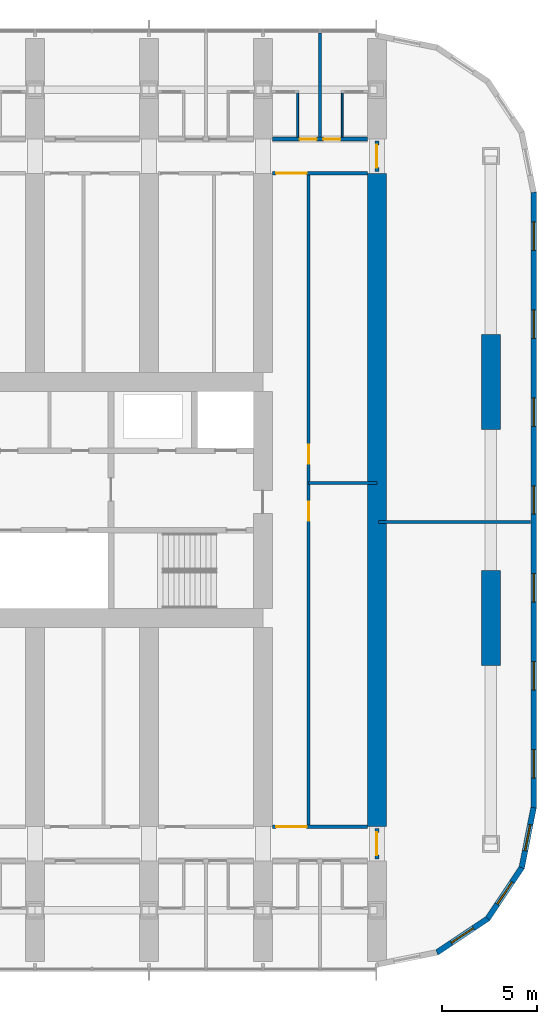
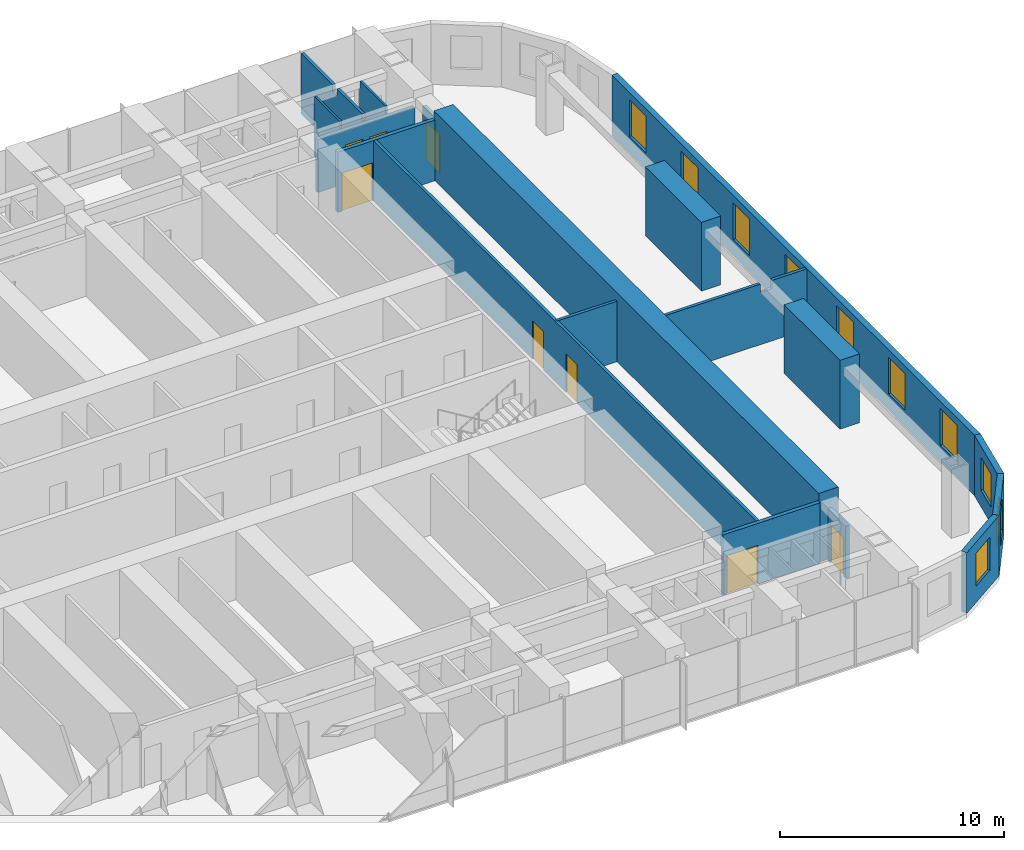
# One storey, part 18 of 24: 18 walls, 10 windows, 8 doors, 18 openings.
"""IFC4 building model written with IfcOpenShell, lengths in metres."""

from ifc_helpers import new_model, si_unit, direction, frame, frame_2d, origin, place, context, subcontext, project, spatial, polyline, rectangle, outline, extrude, material, layer, layer_set, type_object, element, fill, save


model = new_model("IFC4")

# Units and contexts
model_context = context("Model", 3, precision=1e-05, world=origin(), true_north=direction((0.0, 1.0)))
body_context = subcontext(model_context, "Body", "Model", "MODEL_VIEW")
ifc_project = project(units=[si_unit("LENGTHUNIT", "METRE"), si_unit("AREAUNIT", "SQUARE_METRE"), si_unit("VOLUMEUNIT", "CUBIC_METRE"), si_unit("PLANEANGLEUNIT", "RADIAN"), si_unit("MASSUNIT", "GRAM", prefix="KILO")], contexts=[model_context])

# Site, building, storey
site_placement = place(None, origin())
site = spatial("IfcSite", under=ifc_project, at=site_placement, CompositionType="ELEMENT")
building_placement = place(site_placement, origin())
building = spatial("IfcBuilding", under=site, at=building_placement, Name="Orbita Commons", CompositionType="ELEMENT")
storey_placement = place(building_placement, frame((0.0, 0.0, 20.199951171875)))
storey = spatial("IfcBuildingStorey", under=building, at=storey_placement, Name="L04", CompositionType="ELEMENT", Elevation=20.199951171875)

# Wall, openings, doors
ifc_material_1 = material(Name="Concrete blockwork", Category="masonry")
ifc_layer_1 = layer(ifc_material_1, 0.199951171875)
ifc_layer_set_1 = layer_set([ifc_layer_1], Name="Concrete blockwork")
wall_type_1 = type_object("IfcWallType", Name="Corridor wall 200 blockwork", PredefinedType="SOLIDWALL", material=ifc_layer_set_1)
wall_1_placement = place(storey_placement, frame((66.5, 51.0, 0.0), z_axis=(0.0, 0.0, 1.0), x_axis=(1.0, 0.0, 0.0)))
wall_1 = element("IfcWall", 1, at=wall_1_placement, inside=storey, type_object=wall_type_1, Name="Corridor wall 200 blockwork L04", PredefinedType="SOLIDWALL", context=body_context, shape_type="SweptSolid", body=[
    extrude(outline(polyline([(0.0, 0.0), (5.0, 0.0), (5.0, 2.900146484375), (0.0, 2.900146484375), (0.0, 0.0)])), frame((0.0, 0.10009765625, 0.0), z_axis=(0.0, -1.0, 0.0), x_axis=(1.0, 0.0, 0.0)), (0.0, 0.0, 1.0), 0.199951171875),
])
opening_1_placement = place(wall_1_placement, frame((1.425048828125, 0.0, 0.0)))
opening_1 = element("IfcOpeningElement", 2, at=opening_1_placement, cuts=wall_1, Name="Opening D11", PredefinedType="OPENING", context=body_context, shape_type="SweptSolid", body=[
    extrude(rectangle(XDim=0.89990234375, YDim=2.10009765625, at=frame_2d((0.449951171875, 1.050048828125))), frame((0.0, 0.10986328125, 0.0), z_axis=(0.0, -1.0, 0.0), x_axis=(1.0, 0.0, 0.0)), (0.0, 0.0, 1.0), 0.219970703125),
])
opening_2_placement = place(wall_1_placement, frame((2.675048828125, 0.0, 0.0)))
opening_2 = element("IfcOpeningElement", 3, at=opening_2_placement, cuts=wall_1, Name="Opening D11", PredefinedType="OPENING", context=body_context, shape_type="SweptSolid", body=[
    extrude(rectangle(XDim=0.89990234375, YDim=2.10009765625, at=frame_2d((0.449951171875, 1.050048828125))), frame((0.0, 0.10986328125, 0.0), z_axis=(0.0, -1.0, 0.0), x_axis=(1.0, 0.0, 0.0)), (0.0, 0.0, 1.0), 0.219970703125),
])
ifc_material_2 = material(Name="Steel-faced fire door leaf", Category="steel")
door_type_1 = type_object("IfcDoorType", Name="Corridor door 20 min 900x2100", OperationType="SINGLE_SWING_LEFT", PredefinedType="DOOR", material=ifc_material_2)
door_1_placement = place(opening_1_placement, origin())
door_1 = element("IfcDoor", 4, at=door_1_placement, inside=storey, type_object=door_type_1, Name="House bedroom L04-N18 door", OperationType="SINGLE_SWING_LEFT", OverallHeight=2.10009765625, OverallWidth=0.89990234375, PredefinedType="DOOR", context=body_context, shape_type="SweptSolid", body=[
    extrude(rectangle(XDim=0.89990234375, YDim=2.10009765625, at=frame_2d((0.449951171875, 1.050048828125))), frame((0.0, 0.02490234375, 0.0), z_axis=(0.0, -1.0, 0.0), x_axis=(1.0, 0.0, 0.0)), (0.0, 0.0, 1.0), 0.050048828125),
])
fill(opening_1, door_1)
door_2_placement = place(opening_2_placement, origin())
door_2 = element("IfcDoor", 5, at=door_2_placement, inside=storey, type_object=door_type_1, Name="House bedroom L04-N19 door", OperationType="SINGLE_SWING_LEFT", OverallHeight=2.10009765625, OverallWidth=0.89990234375, PredefinedType="DOOR", context=body_context, shape_type="SweptSolid", body=[
    extrude(rectangle(XDim=0.89990234375, YDim=2.10009765625, at=frame_2d((0.449951171875, 1.050048828125))), frame((0.0, 0.02490234375, 0.0), z_axis=(0.0, -1.0, 0.0), x_axis=(1.0, 0.0, 0.0)), (0.0, 0.0, 1.0), 0.050048828125),
])
fill(opening_2, door_2)

# Wall, opening, door
wall_2_placement = place(storey_placement, frame((72.0, 13.10009765625, 0.0), z_axis=(0.0, 0.0, 1.0), x_axis=(0.0, 1.0, 0.0)))
wall_2 = element("IfcWall", 6, at=wall_2_placement, inside=storey, type_object=wall_type_1, Name="Corridor wall 200 blockwork L04", PredefinedType="SOLIDWALL", context=body_context, shape_type="SweptSolid", body=[
    extrude(outline(polyline([(0.0, 0.0), (1.599853515625, 0.0), (1.60009765625, 2.85009765625), (0.0, 2.85009765625), (0.0, 0.0)])), frame((0.0, 0.10009765625, 0.0), z_axis=(0.0, -1.0, 0.0), x_axis=(1.0, 0.0, 0.0)), (0.0, 0.0, 1.0), 0.199951171875),
])
opening_3_placement = place(wall_2_placement, frame((0.199951171875, 0.0, 0.0)))
opening_3 = element("IfcOpeningElement", 7, at=opening_3_placement, cuts=wall_2, Name="Opening D12", PredefinedType="OPENING", context=body_context, shape_type="SweptSolid", body=[
    extrude(rectangle(XDim=1.199951171875, YDim=2.10009765625, at=frame_2d((0.60009765625, 1.050048828125))), frame((0.0, 0.10986328125, 0.0), z_axis=(0.0, -1.0, 0.0), x_axis=(1.0, 0.0, 0.0)), (0.0, 0.0, 1.0), 0.219970703125),
])
ifc_material_3 = material(Name="Steel-faced fire door leaf", Category="steel")
door_type_2 = type_object("IfcDoorType", Name="Double corridor door 20 min 1200x2100", OperationType="DOUBLE_DOOR_SINGLE_SWING", PredefinedType="DOOR", material=ifc_material_3)
door_3_placement = place(opening_3_placement, origin())
door_3 = element("IfcDoor", 8, at=door_3_placement, inside=storey, type_object=door_type_2, Name="Lounge doors", OperationType="DOUBLE_DOOR_SINGLE_SWING", OverallHeight=2.10009765625, OverallWidth=1.199951171875, PredefinedType="DOOR", context=body_context, shape_type="SweptSolid", body=[
    extrude(rectangle(XDim=1.199951171875, YDim=2.10009765625, at=frame_2d((0.60009765625, 1.050048828125))), frame((0.0, 0.02490234375, 0.0), z_axis=(0.0, -1.0, 0.0), x_axis=(1.0, 0.0, 0.0)), (0.0, 0.0, 1.0), 0.050048828125),
])
fill(opening_3, door_3)

wall_3_placement = place(storey_placement, frame((72.0, 49.300048828125, 0.0), z_axis=(0.0, 0.0, 1.0), x_axis=(0.0, 1.0, 0.0)))
wall_3 = element("IfcWall", 9, at=wall_3_placement, inside=storey, type_object=wall_type_1, Name="Corridor wall 200 blockwork L04", PredefinedType="SOLIDWALL", context=body_context, shape_type="SweptSolid", body=[
    extrude(outline(polyline([(0.0, 0.0), (1.599853515625, 0.0), (1.60009765625, 2.85009765625), (0.0, 2.85009765625), (0.0, 0.0)])), frame((0.0, 0.10009765625, 0.0), z_axis=(0.0, -1.0, 0.0), x_axis=(1.0, 0.0, 0.0)), (0.0, 0.0, 1.0), 0.199951171875),
])
opening_4_placement = place(wall_3_placement, frame((0.199951171875, 0.0, 0.0)))
opening_4 = element("IfcOpeningElement", 10, at=opening_4_placement, cuts=wall_3, Name="Opening D12", PredefinedType="OPENING", context=body_context, shape_type="SweptSolid", body=[
    extrude(rectangle(XDim=1.199951171875, YDim=2.10009765625, at=frame_2d((0.60009765625, 1.050048828125))), frame((0.0, 0.10986328125, 0.0), z_axis=(0.0, -1.0, 0.0), x_axis=(1.0, 0.0, 0.0)), (0.0, 0.0, 1.0), 0.219970703125),
])
door_4_placement = place(opening_4_placement, origin())
door_4 = element("IfcDoor", 11, at=door_4_placement, inside=storey, type_object=door_type_2, Name="Lounge doors", OperationType="DOUBLE_DOOR_SINGLE_SWING", OverallHeight=2.10009765625, OverallWidth=1.199951171875, PredefinedType="DOOR", context=body_context, shape_type="SweptSolid", body=[
    extrude(rectangle(XDim=1.199951171875, YDim=2.10009765625, at=frame_2d((0.60009765625, 1.050048828125))), frame((0.0, 0.02490234375, 0.0), z_axis=(0.0, -1.0, 0.0), x_axis=(1.0, 0.0, 0.0)), (0.0, 0.0, 1.0), 0.050048828125),
])
fill(opening_4, door_4)

ifc_material_4 = material(Name="Hollow concrete block 200", Category="concrete")
ifc_layer_2 = layer(ifc_material_4, 0.199951171875)
ifc_layer_set_2 = layer_set([ifc_layer_2], Name="Hollow concrete block 200")
wall_type_2 = type_object("IfcWallType", Name="Corridor wall 200 hollow concrete block", PredefinedType="SOLIDWALL", material=ifc_layer_set_2)
wall_4_placement = place(storey_placement, frame((66.5, 14.800048828125, 0.0), z_axis=(0.0, 0.0, 1.0), x_axis=(1.0, 0.0, 0.0)))
wall_4 = element("IfcWall", 12, at=wall_4_placement, inside=storey, type_object=wall_type_2, Name="Corridor wall 200 hollow concrete block L04", PredefinedType="SOLIDWALL", context=body_context, shape_type="SweptSolid", body=[
    extrude(rectangle(XDim=5.0, YDim=0.199951171875, at=frame_2d((2.5, 0.0))), origin(), (0.0, 0.0, 1.0), 3.300048828125),
])
opening_5_placement = place(wall_4_placement, frame((0.199951171875, 0.0, 0.0)))
opening_5 = element("IfcOpeningElement", 13, at=opening_5_placement, cuts=wall_4, Name="Opening D10", PredefinedType="OPENING", context=body_context, shape_type="SweptSolid", body=[
    extrude(rectangle(XDim=1.60009765625, YDim=2.10009765625, at=frame_2d((0.800048828125, 1.050048828125))), frame((0.0, 0.10986328125, 0.0), z_axis=(0.0, -1.0, 0.0), x_axis=(1.0, 0.0, 0.0)), (0.0, 0.0, 1.0), 0.219970703125),
])
ifc_material_5 = material(Name="Steel-faced fire door leaf", Category="steel")
door_type_3 = type_object("IfcDoorType", Name="Double corridor door 20 min 1600x2100", OperationType="DOUBLE_DOOR_SINGLE_SWING", PredefinedType="DOOR", material=ifc_material_5)
door_5_placement = place(opening_5_placement, origin())
door_5 = element("IfcDoor", 14, at=door_5_placement, inside=storey, type_object=door_type_3, Name="Cross corridor doors", OperationType="DOUBLE_DOOR_SINGLE_SWING", OverallHeight=2.10009765625, OverallWidth=1.60009765625, PredefinedType="DOOR", context=body_context, shape_type="SweptSolid", body=[
    extrude(rectangle(XDim=1.60009765625, YDim=2.10009765625, at=frame_2d((0.800048828125, 1.050048828125))), frame((0.0, 0.02490234375, 0.0), z_axis=(0.0, -1.0, 0.0), x_axis=(1.0, 0.0, 0.0)), (0.0, 0.0, 1.0), 0.050048828125),
])
fill(opening_5, door_5)

wall_5_placement = place(storey_placement, frame((66.5, 49.199951171875, 0.0), z_axis=(0.0, 0.0, 1.0), x_axis=(1.0, 0.0, 0.0)))
wall_5 = element("IfcWall", 15, at=wall_5_placement, inside=storey, type_object=wall_type_2, Name="Corridor wall 200 hollow concrete block L04", PredefinedType="SOLIDWALL", context=body_context, shape_type="SweptSolid", body=[
    extrude(rectangle(XDim=5.0, YDim=0.199951171875, at=frame_2d((2.5, 0.0))), origin(), (0.0, 0.0, 1.0), 3.300048828125),
])
opening_6_placement = place(wall_5_placement, frame((0.199951171875, 0.0, 0.0)))
opening_6 = element("IfcOpeningElement", 16, at=opening_6_placement, cuts=wall_5, Name="Opening D10", PredefinedType="OPENING", context=body_context, shape_type="SweptSolid", body=[
    extrude(rectangle(XDim=1.60009765625, YDim=2.10009765625, at=frame_2d((0.800048828125, 1.050048828125))), frame((0.0, 0.10986328125, 0.0), z_axis=(0.0, -1.0, 0.0), x_axis=(1.0, 0.0, 0.0)), (0.0, 0.0, 1.0), 0.219970703125),
])
door_6_placement = place(opening_6_placement, origin())
door_6 = element("IfcDoor", 17, at=door_6_placement, inside=storey, type_object=door_type_3, Name="Cross corridor doors", OperationType="DOUBLE_DOOR_SINGLE_SWING", OverallHeight=2.10009765625, OverallWidth=1.60009765625, PredefinedType="DOOR", context=body_context, shape_type="SweptSolid", body=[
    extrude(rectangle(XDim=1.60009765625, YDim=2.10009765625, at=frame_2d((0.800048828125, 1.050048828125))), frame((0.0, 0.02490234375, 0.0), z_axis=(0.0, -1.0, 0.0), x_axis=(1.0, 0.0, 0.0)), (0.0, 0.0, 1.0), 0.050048828125),
])
fill(opening_6, door_6)

# Walls
ifc_material_6 = material(Name="Concrete C50/60", Category="concrete")
ifc_layer_3 = layer(ifc_material_6, 1.0)
ifc_layer_set_3 = layer_set([ifc_layer_3], Name="Concrete C50/60")
wall_type_3 = type_object("IfcWallType", Name="Cross wall 1000 C50/60", PredefinedType="SHEAR", material=ifc_layer_set_3)
wall_6_placement = place(storey_placement, frame((72.0, 14.800048828125, 0.0), z_axis=(0.0, 0.0, 1.0), x_axis=(0.0, 1.0, 0.0)))
element("IfcWall", 18, at=wall_6_placement, inside=storey, type_object=wall_type_3, Name="Cross wall 13 inner L04", PredefinedType="SHEAR", context=body_context, shape_type="SweptSolid", body=[
    extrude(rectangle(XDim=34.39990234375, YDim=1.0, at=frame_2d((17.199951171875, 0.0))), origin(), (0.0, 0.0, 1.0), 3.75),
])
ifc_material_7 = material(Name="Moisture-resistant plasterboard on steel studs", Category="steel")
ifc_layer_4 = layer(ifc_material_7, 0.10009765625)
ifc_layer_set_4 = layer_set([ifc_layer_4], Name="Moisture-resistant plasterboard on steel studs")
wall_type_4 = type_object("IfcWallType", Name="En-suite partition 100", PredefinedType="PARTITIONING", material=ifc_layer_set_4)
for number, where, z_axis, x_axis, name in (
    (19, (67.824951171875, 53.449951171875, 0.0), (0.0, 0.0, 1.0), (0.0, -1.0, 0.0), "En-suite partition 100 L04"),
    (20, (70.175048828125, 53.449951171875, 0.0), (0.0, 0.0, 1.0), (0.0, -1.0, 0.0), "En-suite partition 100 L04"),
):
    element("IfcWall", number, at=place(storey_placement, frame(where, z_axis=z_axis, x_axis=x_axis)), inside=storey, type_object=wall_type_4, Name=name, PredefinedType="PARTITIONING", context=body_context, shape_type="SweptSolid", body=[
        extrude(outline(polyline([(0.0, 0.0), (2.349853515625, 0.0), (2.35009765625, 2.900146484375), (2.302001953125, 2.900146484375), (2.300048828125, 3.300048828125), (0.052001953125, 3.300048828125), (0.050048828125, 2.900146484375), (0.0, 2.900146484375), (0.0, 0.0)])), frame((0.0, 0.050048828125, 0.0), z_axis=(0.0, -1.0, 0.0), x_axis=(1.0, 0.0, 0.0)), (0.0, 0.0, 1.0), 0.10009765625),
    ])
ifc_material_8 = material(Name="Concrete C50/60", Category="concrete")
ifc_layer_5 = layer(ifc_material_8, 1.0)
ifc_layer_set_5 = layer_set([ifc_layer_5], Name="Concrete C50/60")
wall_type_5 = type_object("IfcWallType", Name="End pier 1000x5000 C50/60", PredefinedType="SHEAR", material=ifc_layer_set_5)
for number, where, z_axis, x_axis, name in (
    (21, (78.0, 23.300048828125, 0.0), (0.0, 0.0, 1.0), (0.0, 1.0, 0.0), "End pier 14/C L04"),
    (22, (78.0, 35.699951171875, 0.0), (0.0, 0.0, 1.0), (0.0, 1.0, 0.0), "End pier 14/D L04"),
):
    element("IfcWall", number, at=place(storey_placement, frame(where, z_axis=z_axis, x_axis=x_axis)), inside=storey, type_object=wall_type_5, Name=name, PredefinedType="SHEAR", context=body_context, shape_type="SweptSolid", body=[
        extrude(rectangle(XDim=5.0, YDim=1.0, at=frame_2d((2.5, 0.0))), origin(), (0.0, 0.0, 1.0), 3.75),
    ])

# Wall, openings, doors
ifc_material_9 = material(Name="Gypsum plasterboard on steel studs", Category="steel")
ifc_layer_6 = layer(ifc_material_9, 0.14990234375)
ifc_layer_set_6 = layer_set([ifc_layer_6], Name="Gypsum plasterboard on steel studs")
wall_type_6 = type_object("IfcWallType", Name="Partition 150 plasterboard", PredefinedType="PARTITIONING", material=ifc_layer_set_6)
wall_7_placement = place(storey_placement, frame((68.39990234375, 14.89990234375, 0.0), z_axis=(0.0, 0.0, 1.0), x_axis=(0.0, 1.0, 0.0)))
wall_7 = element("IfcWall", 23, at=wall_7_placement, inside=storey, type_object=wall_type_6, Name="Partition 150 plasterboard L04", PredefinedType="PARTITIONING", context=body_context, shape_type="SweptSolid", body=[
    extrude(rectangle(XDim=34.2001953125, YDim=0.14990234375, at=frame_2d((17.10009765625, 0.0))), origin(), (0.0, 0.0, 1.0), 3.300048828125),
])
opening_7_placement = place(wall_7_placement, frame((16.0, 0.0, 0.0)))
opening_7 = element("IfcOpeningElement", 24, at=opening_7_placement, cuts=wall_7, Name="Opening D06", PredefinedType="OPENING", context=body_context, shape_type="SweptSolid", body=[
    extrude(rectangle(XDim=1.0, YDim=2.10009765625, at=frame_2d((0.5, 1.050048828125))), frame((0.0, 0.0849609375, 0.0), z_axis=(0.0, -1.0, 0.0), x_axis=(1.0, 0.0, 0.0)), (0.0, 0.0, 1.0), 0.169921875),
])
opening_8_placement = place(wall_7_placement, frame((19.0, 0.0, 0.0)))
opening_8 = element("IfcOpeningElement", 25, at=opening_8_placement, cuts=wall_7, Name="Opening D06", PredefinedType="OPENING", context=body_context, shape_type="SweptSolid", body=[
    extrude(rectangle(XDim=1.0, YDim=2.10009765625, at=frame_2d((0.5, 1.050048828125))), frame((0.0, 0.0849609375, 0.0), z_axis=(0.0, -1.0, 0.0), x_axis=(1.0, 0.0, 0.0)), (0.0, 0.0, 1.0), 0.169921875),
])
ifc_material_10 = material(Name="Steel-faced fire door leaf", Category="steel")
door_type_4 = type_object("IfcDoorType", Name="Corridor door 20 min 1000x2100", OperationType="SINGLE_SWING_LEFT", PredefinedType="DOOR", material=ifc_material_10)
door_7_placement = place(opening_7_placement, origin())
door_7 = element("IfcDoor", 26, at=door_7_placement, inside=storey, type_object=door_type_4, Name="Prayer room door", OperationType="SINGLE_SWING_LEFT", OverallHeight=2.10009765625, OverallWidth=1.0, PredefinedType="DOOR", context=body_context, shape_type="SweptSolid", body=[
    extrude(rectangle(XDim=1.0, YDim=2.10009765625, at=frame_2d((0.5, 1.050048828125))), frame((0.0, 0.02490234375, 0.0), z_axis=(0.0, -1.0, 0.0), x_axis=(1.0, 0.0, 0.0)), (0.0, 0.0, 1.0), 0.050048828125),
])
fill(opening_7, door_7)
door_8_placement = place(opening_8_placement, origin())
door_8 = element("IfcDoor", 27, at=door_8_placement, inside=storey, type_object=door_type_4, Name="Quiet room en door", OperationType="SINGLE_SWING_LEFT", OverallHeight=2.10009765625, OverallWidth=1.0, PredefinedType="DOOR", context=body_context, shape_type="SweptSolid", body=[
    extrude(rectangle(XDim=1.0, YDim=2.10009765625, at=frame_2d((0.5, 1.050048828125))), frame((0.0, 0.02490234375, 0.0), z_axis=(0.0, -1.0, 0.0), x_axis=(1.0, 0.0, 0.0)), (0.0, 0.0, 1.0), 0.050048828125),
])
fill(opening_8, door_8)

# Walls
wall_8_placement = place(storey_placement, frame((68.39990234375, 32.89990234375, 0.0), z_axis=(0.0, 0.0, 1.0), x_axis=(1.0, 0.0, 0.0)))
element("IfcWall", 28, at=wall_8_placement, inside=storey, type_object=wall_type_6, Name="Partition 150 plasterboard L04", PredefinedType="PARTITIONING", context=body_context, shape_type="SweptSolid", body=[
    extrude(rectangle(XDim=3.60009765625, YDim=0.14990234375, at=frame_2d((1.800048828125, 0.0))), origin(), (0.0, 0.0, 1.0), 3.300048828125),
])
wall_9_placement = place(storey_placement, frame((72.074951171875, 30.85009765625, 0.0), z_axis=(0.0, 0.0, 1.0), x_axis=(1.0, 0.0, 0.0)))
element("IfcWall", 29, at=wall_9_placement, inside=storey, type_object=wall_type_6, Name="Partition 150 plasterboard L04", PredefinedType="PARTITIONING", context=body_context, shape_type="SweptSolid", body=[
    extrude(outline(polyline([(0.0, 0.0), (8.02001953125, 0.0), (8.02001953125, 3.300048828125), (6.22705078125, 3.300048828125), (6.22509765625, 2.85009765625), (5.626953125, 2.85009765625), (5.625, 3.300048828125), (0.0, 3.300048828125), (0.0, 0.0)])), frame((0.0, 0.074951171875, 0.0), z_axis=(0.0, -1.0, 0.0), x_axis=(1.0, 0.0, 0.0)), (0.0, 0.0, 1.0), 0.14990234375),
])
ifc_material_11 = material(Name="Gypsum plasterboard on steel studs", Category="steel")
ifc_layer_7 = layer(ifc_material_11, 0.14990234375)
ifc_layer_set_7 = layer_set([ifc_layer_7], Name="Gypsum plasterboard on steel studs")
wall_type_7 = type_object("IfcWallType", Name="Party wall 150 plasterboard", PredefinedType="PARTITIONING", material=ifc_layer_set_7)
wall_10_placement = place(storey_placement, frame((69.0, 56.590087890625, 0.0), z_axis=(0.0, 0.0, 1.0), x_axis=(0.0, -1.0, 0.0)))
element("IfcWall", 30, at=wall_10_placement, inside=storey, type_object=wall_type_7, Name="Party wall 150 plasterboard L04", PredefinedType="PARTITIONING", context=body_context, shape_type="SweptSolid", body=[
    extrude(outline(polyline([(0.0, 0.0), (5.489990234375, 0.0), (5.489990234375, 2.900146484375), (5.44189453125, 2.900146484375), (5.43994140625, 3.300048828125), (3.19189453125, 3.300048828125), (3.18994140625, 2.900146484375), (2.7919921875, 2.900146484375), (2.7900390625, 3.300048828125), (0.0, 3.300048828125), (0.0, 0.0)])), frame((0.0, 0.074951171875, 0.0), z_axis=(0.0, -1.0, 0.0), x_axis=(1.0, 0.0, 0.0)), (0.0, 0.0, 1.0), 0.14990234375),
])

# Wall, openings, windows
ifc_material_12 = material(Name="Precast concrete C40/50, white board-marked finish", Category="concrete")
ifc_layer_8 = layer(ifc_material_12, 0.300048828125)
ifc_layer_set_8 = layer_set([ifc_layer_8], Name="Precast concrete C40/50, white board-marked finish")
wall_type_8 = type_object("IfcWallType", Name="Precast concrete end shield 300", PredefinedType="SOLIDWALL", material=ifc_layer_set_8)
wall_11_placement = place(storey_placement, frame((80.25, 15.800048828125, 0.0), z_axis=(0.0, 0.0, 1.0), x_axis=(0.0, 1.0, 0.0)))
wall_11 = element("IfcWall", 31, at=wall_11_placement, inside=storey, type_object=wall_type_8, Name="End shield E L04", PredefinedType="SOLIDWALL", context=body_context, shape_type="SweptSolid", body=[
    extrude(outline(polyline([(-0.014892578125, -0.14990234375), (32.414794921875, -0.14990234375), (32.385009765625, 0.14990234375), (0.014892578125, 0.14990234375), (-0.014892578125, -0.14990234375)])), origin(), (0.0, 0.0, 1.0), 3.300048828125),
])
opening_9_placement = place(wall_11_placement, frame((1.564208984375, 0.0, 0.89990234375)))
opening_9 = element("IfcOpeningElement", 32, at=opening_9_placement, cuts=wall_11, Name="Opening W01", PredefinedType="OPENING", context=body_context, shape_type="SweptSolid", body=[
    extrude(rectangle(XDim=1.5, YDim=2.0, at=frame_2d((0.75, 1.0))), frame((0.0, 0.159912109375, 0.0), z_axis=(0.0, -1.0, 0.0), x_axis=(1.0, 0.0, 0.0)), (0.0, 0.0, 1.0), 0.320068359375),
])
opening_10_placement = place(wall_11_placement, frame((6.19287109375, 0.0, 0.89990234375)))
opening_10 = element("IfcOpeningElement", 33, at=opening_10_placement, cuts=wall_11, Name="Opening W01", PredefinedType="OPENING", context=body_context, shape_type="SweptSolid", body=[
    extrude(rectangle(XDim=1.5, YDim=2.0, at=frame_2d((0.75, 1.0))), frame((0.0, 0.159912109375, 0.0), z_axis=(0.0, -1.0, 0.0), x_axis=(1.0, 0.0, 0.0)), (0.0, 0.0, 1.0), 0.320068359375),
])
opening_11_placement = place(wall_11_placement, frame((10.821533203125, 0.0, 0.89990234375)))
opening_11 = element("IfcOpeningElement", 34, at=opening_11_placement, cuts=wall_11, Name="Opening W01", PredefinedType="OPENING", context=body_context, shape_type="SweptSolid", body=[
    extrude(rectangle(XDim=1.5, YDim=2.0, at=frame_2d((0.75, 1.0))), frame((0.0, 0.159912109375, 0.0), z_axis=(0.0, -1.0, 0.0), x_axis=(1.0, 0.0, 0.0)), (0.0, 0.0, 1.0), 0.320068359375),
])
opening_12_placement = place(wall_11_placement, frame((15.449951171875, 0.0, 0.89990234375)))
opening_12 = element("IfcOpeningElement", 35, at=opening_12_placement, cuts=wall_11, Name="Opening W01", PredefinedType="OPENING", context=body_context, shape_type="SweptSolid", body=[
    extrude(rectangle(XDim=1.5, YDim=2.0, at=frame_2d((0.75, 1.0))), frame((0.0, 0.159912109375, 0.0), z_axis=(0.0, -1.0, 0.0), x_axis=(1.0, 0.0, 0.0)), (0.0, 0.0, 1.0), 0.320068359375),
])
opening_13_placement = place(wall_11_placement, frame((20.07861328125, 0.0, 0.89990234375)))
opening_13 = element("IfcOpeningElement", 36, at=opening_13_placement, cuts=wall_11, Name="Opening W01", PredefinedType="OPENING", context=body_context, shape_type="SweptSolid", body=[
    extrude(rectangle(XDim=1.5, YDim=2.0, at=frame_2d((0.75, 1.0))), frame((0.0, 0.159912109375, 0.0), z_axis=(0.0, -1.0, 0.0), x_axis=(1.0, 0.0, 0.0)), (0.0, 0.0, 1.0), 0.320068359375),
])
opening_14_placement = place(wall_11_placement, frame((24.70703125, 0.0, 0.89990234375)))
opening_14 = element("IfcOpeningElement", 37, at=opening_14_placement, cuts=wall_11, Name="Opening W01", PredefinedType="OPENING", context=body_context, shape_type="SweptSolid", body=[
    extrude(rectangle(XDim=1.5, YDim=2.0, at=frame_2d((0.75, 1.0))), frame((0.0, 0.159912109375, 0.0), z_axis=(0.0, -1.0, 0.0), x_axis=(1.0, 0.0, 0.0)), (0.0, 0.0, 1.0), 0.320068359375),
])
opening_15_placement = place(wall_11_placement, frame((29.335693359375, 0.0, 0.89990234375)))
opening_15 = element("IfcOpeningElement", 38, at=opening_15_placement, cuts=wall_11, Name="Opening W01", PredefinedType="OPENING", context=body_context, shape_type="SweptSolid", body=[
    extrude(rectangle(XDim=1.5, YDim=2.0, at=frame_2d((0.75, 1.0))), frame((0.0, 0.159912109375, 0.0), z_axis=(0.0, -1.0, 0.0), x_axis=(1.0, 0.0, 0.0)), (0.0, 0.0, 1.0), 0.320068359375),
])
ifc_material_13 = material(Name="Aluminium frame, clear double glazing", Category="aluminium")
window_type_1 = type_object("IfcWindowType", Name="Deep-set window 1500x2000", PartitioningType="SINGLE_PANEL", PredefinedType="WINDOW", material=ifc_material_13)
window_1_placement = place(opening_9_placement, origin())
window_1 = element("IfcWindow", 39, at=window_1_placement, inside=storey, type_object=window_type_1, Name="Window L04-E 1", OverallHeight=2.0, OverallWidth=1.5, PartitioningType="SINGLE_PANEL", PredefinedType="WINDOW", context=body_context, shape_type="SweptSolid", body=[
    extrude(rectangle(XDim=1.5, YDim=2.0, at=frame_2d((0.75, 1.0))), frame((0.0, 0.030029296875, 0.0), z_axis=(0.0, -1.0, 0.0), x_axis=(1.0, 0.0, 0.0)), (0.0, 0.0, 1.0), 0.06005859375),
])
fill(opening_9, window_1)
window_2_placement = place(opening_10_placement, origin())
window_2 = element("IfcWindow", 40, at=window_2_placement, inside=storey, type_object=window_type_1, Name="Window L04-E 2", OverallHeight=2.0, OverallWidth=1.5, PartitioningType="SINGLE_PANEL", PredefinedType="WINDOW", context=body_context, shape_type="SweptSolid", body=[
    extrude(rectangle(XDim=1.5, YDim=2.0, at=frame_2d((0.75, 1.0))), frame((0.0, 0.030029296875, 0.0), z_axis=(0.0, -1.0, 0.0), x_axis=(1.0, 0.0, 0.0)), (0.0, 0.0, 1.0), 0.06005859375),
])
fill(opening_10, window_2)
window_3_placement = place(opening_11_placement, origin())
window_3 = element("IfcWindow", 41, at=window_3_placement, inside=storey, type_object=window_type_1, Name="Window L04-E 3", OverallHeight=2.0, OverallWidth=1.5, PartitioningType="SINGLE_PANEL", PredefinedType="WINDOW", context=body_context, shape_type="SweptSolid", body=[
    extrude(rectangle(XDim=1.5, YDim=2.0, at=frame_2d((0.75, 1.0))), frame((0.0, 0.030029296875, 0.0), z_axis=(0.0, -1.0, 0.0), x_axis=(1.0, 0.0, 0.0)), (0.0, 0.0, 1.0), 0.06005859375),
])
fill(opening_11, window_3)
window_4_placement = place(opening_12_placement, origin())
window_4 = element("IfcWindow", 42, at=window_4_placement, inside=storey, type_object=window_type_1, Name="Window L04-E 4", OverallHeight=2.0, OverallWidth=1.5, PartitioningType="SINGLE_PANEL", PredefinedType="WINDOW", context=body_context, shape_type="SweptSolid", body=[
    extrude(rectangle(XDim=1.5, YDim=2.0, at=frame_2d((0.75, 1.0))), frame((0.0, 0.030029296875, 0.0), z_axis=(0.0, -1.0, 0.0), x_axis=(1.0, 0.0, 0.0)), (0.0, 0.0, 1.0), 0.06005859375),
])
fill(opening_12, window_4)
window_5_placement = place(opening_13_placement, origin())
window_5 = element("IfcWindow", 43, at=window_5_placement, inside=storey, type_object=window_type_1, Name="Window L04-E 5", OverallHeight=2.0, OverallWidth=1.5, PartitioningType="SINGLE_PANEL", PredefinedType="WINDOW", context=body_context, shape_type="SweptSolid", body=[
    extrude(rectangle(XDim=1.5, YDim=2.0, at=frame_2d((0.75, 1.0))), frame((0.0, 0.030029296875, 0.0), z_axis=(0.0, -1.0, 0.0), x_axis=(1.0, 0.0, 0.0)), (0.0, 0.0, 1.0), 0.06005859375),
])
fill(opening_13, window_5)
window_6_placement = place(opening_14_placement, origin())
window_6 = element("IfcWindow", 44, at=window_6_placement, inside=storey, type_object=window_type_1, Name="Window L04-E 6", OverallHeight=2.0, OverallWidth=1.5, PartitioningType="SINGLE_PANEL", PredefinedType="WINDOW", context=body_context, shape_type="SweptSolid", body=[
    extrude(rectangle(XDim=1.5, YDim=2.0, at=frame_2d((0.75, 1.0))), frame((0.0, 0.030029296875, 0.0), z_axis=(0.0, -1.0, 0.0), x_axis=(1.0, 0.0, 0.0)), (0.0, 0.0, 1.0), 0.06005859375),
])
fill(opening_14, window_6)
window_7_placement = place(opening_15_placement, origin())
window_7 = element("IfcWindow", 45, at=window_7_placement, inside=storey, type_object=window_type_1, Name="Window L04-E 7", OverallHeight=2.0, OverallWidth=1.5, PartitioningType="SINGLE_PANEL", PredefinedType="WINDOW", context=body_context, shape_type="SweptSolid", body=[
    extrude(rectangle(XDim=1.5, YDim=2.0, at=frame_2d((0.75, 1.0))), frame((0.0, 0.030029296875, 0.0), z_axis=(0.0, -1.0, 0.0), x_axis=(1.0, 0.0, 0.0)), (0.0, 0.0, 1.0), 0.06005859375),
])
fill(opening_15, window_7)

# Wall, opening, window
wall_12_placement = place(storey_placement, frame((75.156982421875, 8.177978515625, 0.0), z_axis=(0.0, 0.0, 1.0), x_axis=(0.831478105043, 0.555557522525, 0.0)))
wall_12 = element("IfcWall", 46, at=wall_12_placement, inside=storey, type_object=wall_type_8, Name="End shield SE chord 2 L04", PredefinedType="SOLIDWALL", context=body_context, shape_type="SweptSolid", body=[
    extrude(outline(polyline([(-0.02978515625, -0.14990234375), (3.248779296875, -0.14990234375), (3.189208984375, 0.14990234375), (0.02978515625, 0.14990234375), (-0.02978515625, -0.14990234375)])), origin(), (0.0, 0.0, 1.0), 3.300048828125),
])
opening_16_placement = place(wall_12_placement, frame((0.909423828125, 0.0, 0.89990234375)))
opening_16 = element("IfcOpeningElement", 47, at=opening_16_placement, cuts=wall_12, Name="Opening W02", PredefinedType="OPENING", context=body_context, shape_type="SweptSolid", body=[
    extrude(rectangle(XDim=1.39990234375, YDim=1.800048828125, at=frame_2d((0.699951171875, 0.89990234375))), frame((0.0, 0.159912109375, 0.0), z_axis=(0.0, -1.0, 0.0), x_axis=(1.0, 0.0, 0.0)), (0.0, 0.0, 1.0), 0.320068359375),
])
ifc_material_14 = material(Name="Aluminium frame, clear double glazing", Category="aluminium")
window_type_2 = type_object("IfcWindowType", Name="Deep-set window 1400x1800", PartitioningType="SINGLE_PANEL", PredefinedType="WINDOW", material=ifc_material_14)
window_8_placement = place(opening_16_placement, origin())
window_8 = element("IfcWindow", 48, at=window_8_placement, inside=storey, type_object=window_type_2, Name="Window L04-SE1", OverallHeight=1.800048828125, OverallWidth=1.39990234375, PartitioningType="SINGLE_PANEL", PredefinedType="WINDOW", context=body_context, shape_type="SweptSolid", body=[
    extrude(rectangle(XDim=1.39990234375, YDim=1.800048828125, at=frame_2d((0.699951171875, 0.89990234375))), frame((0.0, 0.030029296875, 0.0), z_axis=(0.0, -1.0, 0.0), x_axis=(1.0, 0.0, 0.0)), (0.0, 0.0, 1.0), 0.06005859375),
])
fill(opening_16, window_8)

wall_13_placement = place(storey_placement, frame((77.83349609375, 9.96630859375, 0.0), z_axis=(0.0, 0.0, 1.0), x_axis=(0.555609954424, 0.831443069936, 0.0)))
wall_13 = element("IfcWall", 49, at=wall_13_placement, inside=storey, type_object=wall_type_8, Name="End shield SE chord 3 L04", PredefinedType="SOLIDWALL", context=body_context, shape_type="SweptSolid", body=[
    extrude(outline(polyline([(-0.02978515625, -0.14990234375), (3.2490234375, -0.14990234375), (3.189453125, 0.14990234375), (0.02978515625, 0.14990234375), (-0.02978515625, -0.14990234375)])), origin(), (0.0, 0.0, 1.0), 3.300048828125),
])
opening_17_placement = place(wall_13_placement, frame((0.909423828125, 0.0, 0.89990234375)))
opening_17 = element("IfcOpeningElement", 50, at=opening_17_placement, cuts=wall_13, Name="Opening W02", PredefinedType="OPENING", context=body_context, shape_type="SweptSolid", body=[
    extrude(rectangle(XDim=1.39990234375, YDim=1.800048828125, at=frame_2d((0.699951171875, 0.89990234375))), frame((0.0, 0.159912109375, 0.0), z_axis=(0.0, -1.0, 0.0), x_axis=(1.0, 0.0, 0.0)), (0.0, 0.0, 1.0), 0.320068359375),
])
window_9_placement = place(opening_17_placement, origin())
window_9 = element("IfcWindow", 51, at=window_9_placement, inside=storey, type_object=window_type_2, Name="Window L04-SE2", OverallHeight=1.800048828125, OverallWidth=1.39990234375, PartitioningType="SINGLE_PANEL", PredefinedType="WINDOW", context=body_context, shape_type="SweptSolid", body=[
    extrude(rectangle(XDim=1.39990234375, YDim=1.800048828125, at=frame_2d((0.699951171875, 0.89990234375))), frame((0.0, 0.030029296875, 0.0), z_axis=(0.0, -1.0, 0.0), x_axis=(1.0, 0.0, 0.0)), (0.0, 0.0, 1.0), 0.06005859375),
])
fill(opening_17, window_9)

wall_14_placement = place(storey_placement, frame((79.6220703125, 12.642822265625, 0.0), z_axis=(0.0, 0.0, 1.0), x_axis=(0.195065901187, 0.980790137692, 0.0)))
wall_14 = element("IfcWall", 52, at=wall_14_placement, inside=storey, type_object=wall_type_8, Name="End shield SE chord 4 L04", PredefinedType="SOLIDWALL", context=body_context, shape_type="SweptSolid", body=[
    extrude(outline(polyline([(-0.02978515625, -0.14990234375), (3.23388671875, -0.14990234375), (3.2041015625, 0.14990234375), (0.02978515625, 0.14990234375), (-0.02978515625, -0.14990234375)])), origin(), (0.0, 0.0, 1.0), 3.300048828125),
])
opening_18_placement = place(wall_14_placement, frame((0.909423828125, 0.0, 0.89990234375)))
opening_18 = element("IfcOpeningElement", 53, at=opening_18_placement, cuts=wall_14, Name="Opening W02", PredefinedType="OPENING", context=body_context, shape_type="SweptSolid", body=[
    extrude(rectangle(XDim=1.39990234375, YDim=1.800048828125, at=frame_2d((0.699951171875, 0.89990234375))), frame((0.0, 0.159912109375, 0.0), z_axis=(0.0, -1.0, 0.0), x_axis=(1.0, 0.0, 0.0)), (0.0, 0.0, 1.0), 0.320068359375),
])
window_10_placement = place(opening_18_placement, origin())
window_10 = element("IfcWindow", 54, at=window_10_placement, inside=storey, type_object=window_type_2, Name="Window L04-SE3", OverallHeight=1.800048828125, OverallWidth=1.39990234375, PartitioningType="SINGLE_PANEL", PredefinedType="WINDOW", context=body_context, shape_type="SweptSolid", body=[
    extrude(rectangle(XDim=1.39990234375, YDim=1.800048828125, at=frame_2d((0.699951171875, 0.89990234375))), frame((0.0, 0.030029296875, 0.0), z_axis=(0.0, -1.0, 0.0), x_axis=(1.0, 0.0, 0.0)), (0.0, 0.0, 1.0), 0.06005859375),
])
fill(opening_18, window_10)

save(model, "model.ifc")
